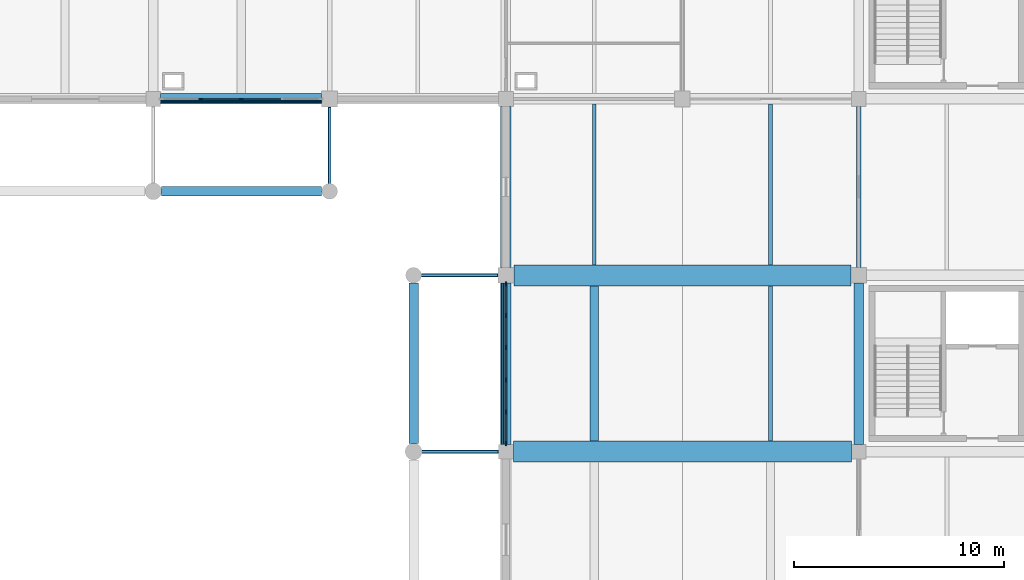
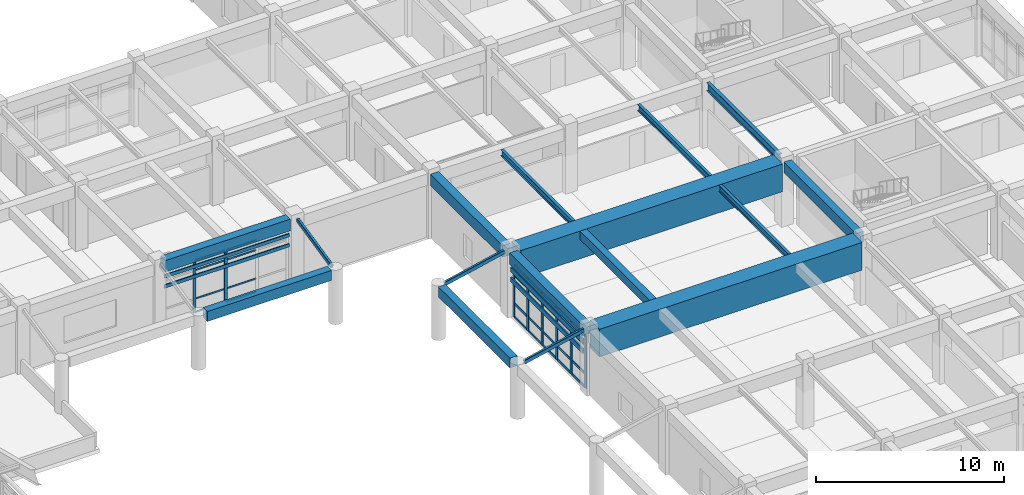
# One storey, part 47 of 99: 43 members, 13 beams, 2 elements without a shape of their own.
"""IFC4 building model written with IfcOpenShell, lengths in metres."""

from ifc_helpers import new_model, si_unit, direction, frame, origin, origin_2d, place, context, subcontext, project, spatial, rectangle, hollow_rectangle, i_section, extrude, material, layer, layer_set, material_profile, profile_set, type_object, element, aggregate, save


model = new_model("IFC4")

# Units and contexts
model_context = context("Model", 3, precision=1e-05, world=origin(), true_north=direction((0.0, 1.0)))
body_context = subcontext(model_context, "Body", "Model", "MODEL_VIEW")
ifc_project = project(units=[si_unit("LENGTHUNIT", "METRE"), si_unit("AREAUNIT", "SQUARE_METRE"), si_unit("VOLUMEUNIT", "CUBIC_METRE"), si_unit("PLANEANGLEUNIT", "RADIAN"), si_unit("MASSUNIT", "GRAM", prefix="KILO")], contexts=[model_context])

# Site, building, storey
site_placement = place(None, origin())
site = spatial("IfcSite", under=ifc_project, at=site_placement, CompositionType="ELEMENT")
building_placement = place(site_placement, origin())
building = spatial("IfcBuilding", under=site, at=building_placement, Name="Porcellanite Civic Hall", CompositionType="ELEMENT")
storey_placement = place(building_placement, frame((0.0, 0.0, 5.760009765625)))
storey = spatial("IfcBuildingStorey", under=building, at=storey_placement, Name="L01", CompositionType="ELEMENT", Elevation=5.760009765625)

# Beams
ifc_material_1 = material(Name="Concrete N50 (50 MPa)", Category="concrete")
ifc_material_profile_1 = material_profile(ifc_material_1, rectangle(XDim=0.39990234375, YDim=0.550048828125, at=origin_2d()), Name="RC-400x550")
ifc_profile_set_1 = profile_set([ifc_material_profile_1], Name="Concrete N50 (50 MPa)")
beam_type_1 = type_object("IfcBeamType", Name="BM-RC550", PredefinedType="JOIST", material=ifc_profile_set_1)
beam_1_placement = place(storey_placement, frame((147.0, 34.099609375, 3.925048828125), z_axis=(0.0, 1.0, 0.0), x_axis=(-1.0, 0.0, 0.0)))
element("IfcBeam", 1, at=beam_1_placement, inside=storey, type_object=beam_type_1, Name="Secondary joist L01 18-5", PredefinedType="JOIST", context=body_context, shape_type="SweptSolid", body=[
    extrude(rectangle(XDim=0.39990234375, YDim=0.550048828125, at=origin_2d()), origin(), (0.0, 0.0, 1.0), 7.40087890625),
])
ifc_material_2 = material(Name="Concrete N50 (50 MPa)", Category="concrete")
ifc_material_profile_2 = material_profile(ifc_material_2, rectangle(XDim=0.449951171875, YDim=0.64990234375, at=origin_2d()), Name="RC-450x650")
ifc_profile_set_2 = profile_set([ifc_material_profile_2], Name="Concrete N50 (50 MPa)")
beam_type_2 = type_object("IfcBeamType", Name="BM-RC650", PredefinedType="SPANDREL", material=ifc_profile_set_2)
for number, where, z_axis, x_axis, name in (
    (2, (138.39990234375, 33.99951171875, 3.205078125), (0.0, 1.0, 0.0), (-1.0, 0.0, 0.0), "Colonnade keystone beam L01 COL-E-P05"),
    (3, (126.3994140625, 46.0, 3.205078125), (1.0, 0.0, 0.0), (0.0, 1.0, 0.0), "Colonnade keystone beam L01 COL-NE-P02"),
):
    element("IfcBeam", number, at=place(storey_placement, frame(where, z_axis=z_axis, x_axis=x_axis)), inside=storey, type_object=beam_type_2, Name=name, PredefinedType="SPANDREL", context=body_context, shape_type="SweptSolid", body=[
        extrude(rectangle(XDim=0.449951171875, YDim=0.64990234375, at=origin_2d()), origin(), (0.0, 0.0, 1.0), 7.6259765625),
    ])
ifc_material_3 = material(Name="Concrete N50 (50 MPa)", Category="concrete")
ifc_material_profile_3 = material_profile(ifc_material_3, rectangle(XDim=0.449951171875, YDim=0.699951171875, at=origin_2d()), Name="RC-450x700")
ifc_profile_set_3 = profile_set([ifc_material_profile_3], Name="Concrete N50 (50 MPa)")
beam_type_3 = type_object("IfcBeamType", Name="BM-RC700", PredefinedType="BEAM", material=ifc_profile_set_3)
beam_2_placement = place(storey_placement, frame((159.60009765625, 33.949462890625, 3.85009765625), z_axis=(0.0, 1.0, 0.0), x_axis=(-1.0, 0.0, 0.0)))
element("IfcBeam", 4, at=beam_2_placement, inside=storey, type_object=beam_type_3, Name="Beam Y L01 20-5", PredefinedType="BEAM", context=body_context, shape_type="SweptSolid", body=[
    extrude(rectangle(XDim=0.449951171875, YDim=0.699951171875, at=origin_2d()), origin(), (0.0, 0.0, 1.0), 7.676025390625),
])
ifc_material_4 = material(Name="Concrete N50 (50 MPa)", Category="concrete")
ifc_material_profile_4 = material_profile(ifc_material_4, rectangle(XDim=0.5, YDim=0.75, at=origin_2d()), Name="RC-500x750")
ifc_profile_set_4 = profile_set([ifc_material_profile_4], Name="Concrete N50 (50 MPa)")
beam_type_4 = type_object("IfcBeamType", Name="BM-RC750", PredefinedType="SPANDREL", material=ifc_profile_set_4)
beam_3_placement = place(storey_placement, frame((126.349609375, 50.39990234375, 3.824951171875), z_axis=(1.0, 0.0, 0.0), x_axis=(0.0, 1.0, 0.0)))
element("IfcBeam", 5, at=beam_3_placement, inside=storey, type_object=beam_type_4, Name="Beam X L01 16-7", PredefinedType="SPANDREL", context=body_context, shape_type="SweptSolid", body=[
    extrude(rectangle(XDim=0.5, YDim=0.75, at=origin_2d()), origin(), (0.0, 0.0, 1.0), 7.67578125),
])
for number, where, z_axis, x_axis, name in (
    (6, (142.800048828125, 33.949462890625, 3.824951171875), (0.0, 1.0, 0.0), (-1.0, 0.0, 0.0), "Beam Y L01 18-5"),
    (7, (142.800048828125, 42.37451171875, 3.824951171875), (0.0, 1.0, 0.0), (-1.0, 0.0, 0.0), "Beam Y L01 18-6"),
):
    element("IfcBeam", number, at=place(storey_placement, frame(where, z_axis=z_axis, x_axis=x_axis)), inside=storey, type_object=beam_type_4, Name=name, PredefinedType="SPANDREL", context=body_context, shape_type="SweptSolid", body=[
        extrude(rectangle(XDim=0.5, YDim=0.75, at=origin_2d()), origin(), (0.0, 0.0, 1.0), 7.676025390625),
    ])

# Curtain wall, members
ifc_material_5 = material(Name="Anodised aluminium and solar laminated glass", Category="aluminium")
ifc_layer_1 = layer(ifc_material_5, 0.179931640625)
ifc_layer_set_1 = layer_set([ifc_layer_1], Name="Anodised aluminium and solar laminated glass")
curtain_wall_type_1 = type_object("IfcCurtainWallType", Name="CW-SYS02", PredefinedType="NOTDEFINED", material=ifc_layer_set_1)
curtain_wall_1_placement = place(storey_placement, origin())
curtain_wall_1 = element("IfcCurtainWall", 8, at=curtain_wall_1_placement, inside=storey, type_object=curtain_wall_type_1, Name="Curtain wall CW-120", PredefinedType="NOTDEFINED")
ifc_material_6 = material(Name="Anodised aluminium 6063-T6", Category="aluminium")
ifc_material_profile_5 = material_profile(ifc_material_6, rectangle(XDim=0.074951171875, YDim=0.219970703125, at=origin_2d()), Name="AL-75x220")
ifc_profile_set_5 = profile_set([ifc_material_profile_5], Name="Anodised aluminium 6063-T6")
member_type_1 = type_object("IfcMemberType", Name="CWM-03", PredefinedType="MULLION", material=ifc_profile_set_5)
member_1_placement = place(storey_placement, frame((142.800048828125, 33.988525390625, 0.0), z_axis=(0.0, 0.0, 1.0), x_axis=(-1.0, 0.0, 0.0)))
member_1 = element("IfcMember", 9, at=member_1_placement, type_object=member_type_1, Name="CW-120 mullion 1", PredefinedType="MULLION", context=body_context, shape_type="SweptSolid", body=[
    extrude(rectangle(XDim=0.074951171875, YDim=0.219970703125, at=origin_2d()), origin(), (0.0, 0.0, 1.0), 3.39990234375),
])
member_2_placement = place(storey_placement, frame((142.800048828125, 35.485595703125, 0.0), z_axis=(0.0, 0.0, 1.0), x_axis=(-1.0, 0.0, 0.0)))
member_2 = element("IfcMember", 10, at=member_2_placement, type_object=member_type_1, Name="CW-120 mullion 2", PredefinedType="MULLION", context=body_context, shape_type="SweptSolid", body=[
    extrude(rectangle(XDim=0.074951171875, YDim=0.219970703125, at=origin_2d()), origin(), (0.0, 0.0, 1.0), 3.39990234375),
])
member_3_placement = place(storey_placement, frame((142.800048828125, 37.020263671875, 0.0), z_axis=(0.0, 0.0, 1.0), x_axis=(-1.0, 0.0, 0.0)))
member_3 = element("IfcMember", 11, at=member_3_placement, type_object=member_type_1, Name="CW-120 mullion 3", PredefinedType="MULLION", context=body_context, shape_type="SweptSolid", body=[
    extrude(rectangle(XDim=0.074951171875, YDim=0.219970703125, at=origin_2d()), origin(), (0.0, 0.0, 1.0), 3.39990234375),
])
member_4_placement = place(storey_placement, frame((142.800048828125, 38.5546875, 0.0), z_axis=(0.0, 0.0, 1.0), x_axis=(-1.0, 0.0, 0.0)))
member_4 = element("IfcMember", 12, at=member_4_placement, type_object=member_type_1, Name="CW-120 mullion 4", PredefinedType="MULLION", context=body_context, shape_type="SweptSolid", body=[
    extrude(rectangle(XDim=0.074951171875, YDim=0.219970703125, at=origin_2d()), origin(), (0.0, 0.0, 1.0), 3.39990234375),
])
member_5_placement = place(storey_placement, frame((142.800048828125, 40.08935546875, 0.0), z_axis=(0.0, 0.0, 1.0), x_axis=(-1.0, 0.0, 0.0)))
member_5 = element("IfcMember", 13, at=member_5_placement, type_object=member_type_1, Name="CW-120 mullion 5", PredefinedType="MULLION", context=body_context, shape_type="SweptSolid", body=[
    extrude(rectangle(XDim=0.074951171875, YDim=0.219970703125, at=origin_2d()), origin(), (0.0, 0.0, 1.0), 3.39990234375),
])
member_6_placement = place(storey_placement, frame((142.800048828125, 41.58642578125, 0.0), z_axis=(0.0, 0.0, 1.0), x_axis=(-1.0, 0.0, 0.0)))
member_6 = element("IfcMember", 14, at=member_6_placement, type_object=member_type_1, Name="CW-120 mullion 6", PredefinedType="MULLION", context=body_context, shape_type="SweptSolid", body=[
    extrude(rectangle(XDim=0.074951171875, YDim=0.219970703125, at=origin_2d()), origin(), (0.0, 0.0, 1.0), 3.39990234375),
])

ifc_material_7 = material(Name="Anodised aluminium and solar laminated glass", Category="aluminium")
ifc_layer_2 = layer(ifc_material_7, 0.179931640625)
ifc_layer_set_2 = layer_set([ifc_layer_2], Name="Anodised aluminium and solar laminated glass")
curtain_wall_type_2 = type_object("IfcCurtainWallType", Name="CW-SYS04", PredefinedType="NOTDEFINED", material=ifc_layer_set_2)
curtain_wall_2_placement = place(storey_placement, origin())
curtain_wall_2 = element("IfcCurtainWall", 15, at=curtain_wall_2_placement, inside=storey, type_object=curtain_wall_type_2, Name="Curtain wall CW-115", PredefinedType="NOTDEFINED")
ifc_material_8 = material(Name="Anodised aluminium 6063-T6", Category="aluminium")
ifc_material_profile_6 = material_profile(ifc_material_8, rectangle(XDim=0.074951171875, YDim=0.18994140625, at=origin_2d()), Name="AL-75x190")
ifc_profile_set_6 = profile_set([ifc_material_profile_6], Name="Anodised aluminium 6063-T6")
member_type_2 = type_object("IfcMemberType", Name="CWM-04", PredefinedType="MULLION", material=ifc_profile_set_6)
member_7_placement = place(storey_placement, frame((130.1875, 50.39990234375, 0.0), z_axis=(0.0, 0.0, 1.0), x_axis=(0.0, -1.0, 0.0)))
member_7 = element("IfcMember", 16, at=member_7_placement, type_object=member_type_2, Name="CW-115 mullion 3", PredefinedType="MULLION", context=body_context, shape_type="SweptSolid", body=[
    extrude(rectangle(XDim=0.074951171875, YDim=0.18994140625, at=origin_2d()), origin(), (0.0, 0.0, 1.0), 3.39990234375),
])
member_8_placement = place(storey_placement, frame((128.269287109375, 50.39990234375, 0.0), z_axis=(0.0, 0.0, 1.0), x_axis=(0.0, -1.0, 0.0)))
member_8 = element("IfcMember", 17, at=member_8_placement, type_object=member_type_2, Name="CW-115 mullion 4", PredefinedType="MULLION", context=body_context, shape_type="SweptSolid", body=[
    extrude(rectangle(XDim=0.074951171875, YDim=0.18994140625, at=origin_2d()), origin(), (0.0, 0.0, 1.0), 3.39990234375),
])

# Member
ifc_material_9 = material(Name="Anodised aluminium 6063-T6", Category="aluminium")
ifc_material_profile_7 = material_profile(ifc_material_9, rectangle(XDim=0.06494140625, YDim=0.14990234375, at=origin_2d()), Name="AL-65x150")
ifc_profile_set_7 = profile_set([ifc_material_profile_7], Name="Anodised aluminium 6063-T6")
member_type_3 = type_object("IfcMemberType", Name="CWT-02", PredefinedType="USERDEFINED", material=ifc_profile_set_7)
member_9_placement = place(storey_placement, frame((142.800048828125, 34.02587890625, 0.032470703125), z_axis=(0.0, 1.0, 0.0), x_axis=(-1.0, 0.0, 0.0)))
member_9 = element("IfcMember", 18, at=member_9_placement, type_object=member_type_3, Name="CW-120 transom 1.1", ObjectType="TRANSOM", PredefinedType="USERDEFINED", context=body_context, shape_type="SweptSolid", body=[
    extrude(rectangle(XDim=0.06494140625, YDim=0.14990234375, at=origin_2d()), origin(), (0.0, 0.0, 1.0), 1.422119140625),
])

member_10_placement = place(storey_placement, frame((142.800048828125, 34.02587890625, 0.89990234375), z_axis=(0.0, 1.0, 0.0), x_axis=(-1.0, 0.0, 0.0)))
member_10 = element("IfcMember", 19, at=member_10_placement, type_object=member_type_3, Name="CW-120 transom 1.2", ObjectType="TRANSOM", PredefinedType="USERDEFINED", context=body_context, shape_type="SweptSolid", body=[
    extrude(rectangle(XDim=0.06494140625, YDim=0.14990234375, at=origin_2d()), origin(), (0.0, 0.0, 1.0), 1.422119140625),
])

member_11_placement = place(storey_placement, frame((142.800048828125, 34.02587890625, 2.75), z_axis=(0.0, 1.0, 0.0), x_axis=(-1.0, 0.0, 0.0)))
member_11 = element("IfcMember", 20, at=member_11_placement, type_object=member_type_3, Name="CW-120 transom 1.3", ObjectType="TRANSOM", PredefinedType="USERDEFINED", context=body_context, shape_type="SweptSolid", body=[
    extrude(rectangle(XDim=0.06494140625, YDim=0.14990234375, at=origin_2d()), origin(), (0.0, 0.0, 1.0), 1.422119140625),
])

member_12_placement = place(storey_placement, frame((142.800048828125, 34.02587890625, 3.367431640625), z_axis=(0.0, 1.0, 0.0), x_axis=(-1.0, 0.0, 0.0)))
member_12 = element("IfcMember", 21, at=member_12_placement, type_object=member_type_3, Name="CW-120 transom 1.4", ObjectType="TRANSOM", PredefinedType="USERDEFINED", context=body_context, shape_type="SweptSolid", body=[
    extrude(rectangle(XDim=0.06494140625, YDim=0.14990234375, at=origin_2d()), origin(), (0.0, 0.0, 1.0), 1.422119140625),
])

member_13_placement = place(storey_placement, frame((142.800048828125, 35.523193359375, 0.032470703125), z_axis=(0.0, 1.0, 0.0), x_axis=(-1.0, 0.0, 0.0)))
member_13 = element("IfcMember", 22, at=member_13_placement, type_object=member_type_3, Name="CW-120 transom 2.1", ObjectType="TRANSOM", PredefinedType="USERDEFINED", context=body_context, shape_type="SweptSolid", body=[
    extrude(rectangle(XDim=0.06494140625, YDim=0.14990234375, at=origin_2d()), origin(), (0.0, 0.0, 1.0), 1.45947265625),
])

member_14_placement = place(storey_placement, frame((142.800048828125, 35.523193359375, 0.89990234375), z_axis=(0.0, 1.0, 0.0), x_axis=(-1.0, 0.0, 0.0)))
member_14 = element("IfcMember", 23, at=member_14_placement, type_object=member_type_3, Name="CW-120 transom 2.2", ObjectType="TRANSOM", PredefinedType="USERDEFINED", context=body_context, shape_type="SweptSolid", body=[
    extrude(rectangle(XDim=0.06494140625, YDim=0.14990234375, at=origin_2d()), origin(), (0.0, 0.0, 1.0), 1.45947265625),
])

member_15_placement = place(storey_placement, frame((142.800048828125, 35.523193359375, 2.75), z_axis=(0.0, 1.0, 0.0), x_axis=(-1.0, 0.0, 0.0)))
member_15 = element("IfcMember", 24, at=member_15_placement, type_object=member_type_3, Name="CW-120 transom 2.3", ObjectType="TRANSOM", PredefinedType="USERDEFINED", context=body_context, shape_type="SweptSolid", body=[
    extrude(rectangle(XDim=0.06494140625, YDim=0.14990234375, at=origin_2d()), origin(), (0.0, 0.0, 1.0), 1.45947265625),
])

member_16_placement = place(storey_placement, frame((142.800048828125, 35.523193359375, 3.367431640625), z_axis=(0.0, 1.0, 0.0), x_axis=(-1.0, 0.0, 0.0)))
member_16 = element("IfcMember", 25, at=member_16_placement, type_object=member_type_3, Name="CW-120 transom 2.4", ObjectType="TRANSOM", PredefinedType="USERDEFINED", context=body_context, shape_type="SweptSolid", body=[
    extrude(rectangle(XDim=0.06494140625, YDim=0.14990234375, at=origin_2d()), origin(), (0.0, 0.0, 1.0), 1.45947265625),
])

member_17_placement = place(storey_placement, frame((142.800048828125, 37.0576171875, 0.032470703125), z_axis=(0.0, 1.0, 0.0), x_axis=(-1.0, 0.0, 0.0)))
member_17 = element("IfcMember", 26, at=member_17_placement, type_object=member_type_3, Name="CW-120 transom 3.1", ObjectType="TRANSOM", PredefinedType="USERDEFINED", context=body_context, shape_type="SweptSolid", body=[
    extrude(rectangle(XDim=0.06494140625, YDim=0.14990234375, at=origin_2d()), origin(), (0.0, 0.0, 1.0), 1.459716796875),
])

member_18_placement = place(storey_placement, frame((142.800048828125, 37.0576171875, 0.89990234375), z_axis=(0.0, 1.0, 0.0), x_axis=(-1.0, 0.0, 0.0)))
member_18 = element("IfcMember", 27, at=member_18_placement, type_object=member_type_3, Name="CW-120 transom 3.2", ObjectType="TRANSOM", PredefinedType="USERDEFINED", context=body_context, shape_type="SweptSolid", body=[
    extrude(rectangle(XDim=0.06494140625, YDim=0.14990234375, at=origin_2d()), origin(), (0.0, 0.0, 1.0), 1.459716796875),
])

member_19_placement = place(storey_placement, frame((142.800048828125, 37.0576171875, 2.75), z_axis=(0.0, 1.0, 0.0), x_axis=(-1.0, 0.0, 0.0)))
member_19 = element("IfcMember", 28, at=member_19_placement, type_object=member_type_3, Name="CW-120 transom 3.3", ObjectType="TRANSOM", PredefinedType="USERDEFINED", context=body_context, shape_type="SweptSolid", body=[
    extrude(rectangle(XDim=0.06494140625, YDim=0.14990234375, at=origin_2d()), origin(), (0.0, 0.0, 1.0), 1.459716796875),
])

member_20_placement = place(storey_placement, frame((142.800048828125, 37.0576171875, 3.367431640625), z_axis=(0.0, 1.0, 0.0), x_axis=(-1.0, 0.0, 0.0)))
member_20 = element("IfcMember", 29, at=member_20_placement, type_object=member_type_3, Name="CW-120 transom 3.4", ObjectType="TRANSOM", PredefinedType="USERDEFINED", context=body_context, shape_type="SweptSolid", body=[
    extrude(rectangle(XDim=0.06494140625, YDim=0.14990234375, at=origin_2d()), origin(), (0.0, 0.0, 1.0), 1.459716796875),
])

member_21_placement = place(storey_placement, frame((142.800048828125, 38.59228515625, 0.032470703125), z_axis=(0.0, 1.0, 0.0), x_axis=(-1.0, 0.0, 0.0)))
member_21 = element("IfcMember", 30, at=member_21_placement, type_object=member_type_3, Name="CW-120 transom 4.1", ObjectType="TRANSOM", PredefinedType="USERDEFINED", context=body_context, shape_type="SweptSolid", body=[
    extrude(rectangle(XDim=0.06494140625, YDim=0.14990234375, at=origin_2d()), origin(), (0.0, 0.0, 1.0), 1.459716796875),
])

member_22_placement = place(storey_placement, frame((142.800048828125, 38.59228515625, 0.89990234375), z_axis=(0.0, 1.0, 0.0), x_axis=(-1.0, 0.0, 0.0)))
member_22 = element("IfcMember", 31, at=member_22_placement, type_object=member_type_3, Name="CW-120 transom 4.2", ObjectType="TRANSOM", PredefinedType="USERDEFINED", context=body_context, shape_type="SweptSolid", body=[
    extrude(rectangle(XDim=0.06494140625, YDim=0.14990234375, at=origin_2d()), origin(), (0.0, 0.0, 1.0), 1.459716796875),
])

member_23_placement = place(storey_placement, frame((142.800048828125, 38.59228515625, 2.75), z_axis=(0.0, 1.0, 0.0), x_axis=(-1.0, 0.0, 0.0)))
member_23 = element("IfcMember", 32, at=member_23_placement, type_object=member_type_3, Name="CW-120 transom 4.3", ObjectType="TRANSOM", PredefinedType="USERDEFINED", context=body_context, shape_type="SweptSolid", body=[
    extrude(rectangle(XDim=0.06494140625, YDim=0.14990234375, at=origin_2d()), origin(), (0.0, 0.0, 1.0), 1.459716796875),
])

member_24_placement = place(storey_placement, frame((142.800048828125, 38.59228515625, 3.367431640625), z_axis=(0.0, 1.0, 0.0), x_axis=(-1.0, 0.0, 0.0)))
member_24 = element("IfcMember", 33, at=member_24_placement, type_object=member_type_3, Name="CW-120 transom 4.4", ObjectType="TRANSOM", PredefinedType="USERDEFINED", context=body_context, shape_type="SweptSolid", body=[
    extrude(rectangle(XDim=0.06494140625, YDim=0.14990234375, at=origin_2d()), origin(), (0.0, 0.0, 1.0), 1.459716796875),
])

member_25_placement = place(storey_placement, frame((142.800048828125, 40.126953125, 0.032470703125), z_axis=(0.0, 1.0, 0.0), x_axis=(-1.0, 0.0, 0.0)))
member_25 = element("IfcMember", 34, at=member_25_placement, type_object=member_type_3, Name="CW-120 transom 5.1", ObjectType="TRANSOM", PredefinedType="USERDEFINED", context=body_context, shape_type="SweptSolid", body=[
    extrude(rectangle(XDim=0.06494140625, YDim=0.14990234375, at=origin_2d()), origin(), (0.0, 0.0, 1.0), 1.422119140625),
])

member_26_placement = place(storey_placement, frame((142.800048828125, 40.126953125, 0.89990234375), z_axis=(0.0, 1.0, 0.0), x_axis=(-1.0, 0.0, 0.0)))
member_26 = element("IfcMember", 35, at=member_26_placement, type_object=member_type_3, Name="CW-120 transom 5.2", ObjectType="TRANSOM", PredefinedType="USERDEFINED", context=body_context, shape_type="SweptSolid", body=[
    extrude(rectangle(XDim=0.06494140625, YDim=0.14990234375, at=origin_2d()), origin(), (0.0, 0.0, 1.0), 1.422119140625),
])

member_27_placement = place(storey_placement, frame((142.800048828125, 40.126953125, 2.75), z_axis=(0.0, 1.0, 0.0), x_axis=(-1.0, 0.0, 0.0)))
member_27 = element("IfcMember", 36, at=member_27_placement, type_object=member_type_3, Name="CW-120 transom 5.3", ObjectType="TRANSOM", PredefinedType="USERDEFINED", context=body_context, shape_type="SweptSolid", body=[
    extrude(rectangle(XDim=0.06494140625, YDim=0.14990234375, at=origin_2d()), origin(), (0.0, 0.0, 1.0), 1.422119140625),
])

member_28_placement = place(storey_placement, frame((142.800048828125, 40.126953125, 3.367431640625), z_axis=(0.0, 1.0, 0.0), x_axis=(-1.0, 0.0, 0.0)))
member_28 = element("IfcMember", 37, at=member_28_placement, type_object=member_type_3, Name="CW-120 transom 5.4", ObjectType="TRANSOM", PredefinedType="USERDEFINED", context=body_context, shape_type="SweptSolid", body=[
    extrude(rectangle(XDim=0.06494140625, YDim=0.14990234375, at=origin_2d()), origin(), (0.0, 0.0, 1.0), 1.422119140625),
])

aggregate(curtain_wall_1, [member_1, member_2, member_3, member_4, member_5, member_6, member_9, member_10, member_11, member_12, member_13, member_14, member_15, member_16, member_17, member_18, member_19, member_20, member_21, member_22, member_23, member_24, member_25, member_26, member_27, member_28])

ifc_material_10 = material(Name="Anodised aluminium 6063-T6", Category="aluminium")
ifc_material_profile_8 = material_profile(ifc_material_10, rectangle(XDim=0.054931640625, YDim=0.10009765625, at=origin_2d()), Name="AL-55x100")
ifc_profile_set_8 = profile_set([ifc_material_profile_8], Name="Anodised aluminium 6063-T6")
member_type_4 = type_object("IfcMemberType", Name="CWT-05", PredefinedType="USERDEFINED", material=ifc_profile_set_8)
member_29_placement = place(storey_placement, frame((132.068359375, 50.39990234375, 0.027587890625), z_axis=(-1.0, 0.0, 0.0), x_axis=(0.0, -1.0, 0.0)))
member_29 = element("IfcMember", 38, at=member_29_placement, type_object=member_type_4, Name="CW-115 transom 2.1", ObjectType="TRANSOM", PredefinedType="USERDEFINED", context=body_context, shape_type="SweptSolid", body=[
    extrude(rectangle(XDim=0.054931640625, YDim=0.10009765625, at=origin_2d()), origin(), (0.0, 0.0, 1.0), 1.84326171875),
])

member_30_placement = place(storey_placement, frame((132.068359375, 50.39990234375, 0.89990234375), z_axis=(-1.0, 0.0, 0.0), x_axis=(0.0, -1.0, 0.0)))
member_30 = element("IfcMember", 39, at=member_30_placement, type_object=member_type_4, Name="CW-115 transom 2.2", ObjectType="TRANSOM", PredefinedType="USERDEFINED", context=body_context, shape_type="SweptSolid", body=[
    extrude(rectangle(XDim=0.054931640625, YDim=0.10009765625, at=origin_2d()), origin(), (0.0, 0.0, 1.0), 1.84326171875),
])

member_31_placement = place(storey_placement, frame((132.068359375, 50.39990234375, 2.75), z_axis=(-1.0, 0.0, 0.0), x_axis=(0.0, -1.0, 0.0)))
member_31 = element("IfcMember", 40, at=member_31_placement, type_object=member_type_4, Name="CW-115 transom 2.3", ObjectType="TRANSOM", PredefinedType="USERDEFINED", context=body_context, shape_type="SweptSolid", body=[
    extrude(rectangle(XDim=0.054931640625, YDim=0.10009765625, at=origin_2d()), origin(), (0.0, 0.0, 1.0), 1.84326171875),
])

member_32_placement = place(storey_placement, frame((132.068359375, 50.39990234375, 3.37255859375), z_axis=(-1.0, 0.0, 0.0), x_axis=(0.0, -1.0, 0.0)))
member_32 = element("IfcMember", 41, at=member_32_placement, type_object=member_type_4, Name="CW-115 transom 2.4", ObjectType="TRANSOM", PredefinedType="USERDEFINED", context=body_context, shape_type="SweptSolid", body=[
    extrude(rectangle(XDim=0.054931640625, YDim=0.10009765625, at=origin_2d()), origin(), (0.0, 0.0, 1.0), 1.84326171875),
])

member_33_placement = place(storey_placement, frame((130.14990234375, 50.39990234375, 0.027587890625), z_axis=(-1.0, 0.0, 0.0), x_axis=(0.0, -1.0, 0.0)))
member_33 = element("IfcMember", 42, at=member_33_placement, type_object=member_type_4, Name="CW-115 transom 3.1", ObjectType="TRANSOM", PredefinedType="USERDEFINED", context=body_context, shape_type="SweptSolid", body=[
    extrude(rectangle(XDim=0.054931640625, YDim=0.10009765625, at=origin_2d()), origin(), (0.0, 0.0, 1.0), 1.84326171875),
])

member_34_placement = place(storey_placement, frame((130.14990234375, 50.39990234375, 0.89990234375), z_axis=(-1.0, 0.0, 0.0), x_axis=(0.0, -1.0, 0.0)))
member_34 = element("IfcMember", 43, at=member_34_placement, type_object=member_type_4, Name="CW-115 transom 3.2", ObjectType="TRANSOM", PredefinedType="USERDEFINED", context=body_context, shape_type="SweptSolid", body=[
    extrude(rectangle(XDim=0.054931640625, YDim=0.10009765625, at=origin_2d()), origin(), (0.0, 0.0, 1.0), 1.84326171875),
])

member_35_placement = place(storey_placement, frame((130.14990234375, 50.39990234375, 2.75), z_axis=(-1.0, 0.0, 0.0), x_axis=(0.0, -1.0, 0.0)))
member_35 = element("IfcMember", 44, at=member_35_placement, type_object=member_type_4, Name="CW-115 transom 3.3", ObjectType="TRANSOM", PredefinedType="USERDEFINED", context=body_context, shape_type="SweptSolid", body=[
    extrude(rectangle(XDim=0.054931640625, YDim=0.10009765625, at=origin_2d()), origin(), (0.0, 0.0, 1.0), 1.84326171875),
])

member_36_placement = place(storey_placement, frame((130.14990234375, 50.39990234375, 3.37255859375), z_axis=(-1.0, 0.0, 0.0), x_axis=(0.0, -1.0, 0.0)))
member_36 = element("IfcMember", 45, at=member_36_placement, type_object=member_type_4, Name="CW-115 transom 3.4", ObjectType="TRANSOM", PredefinedType="USERDEFINED", context=body_context, shape_type="SweptSolid", body=[
    extrude(rectangle(XDim=0.054931640625, YDim=0.10009765625, at=origin_2d()), origin(), (0.0, 0.0, 1.0), 1.84326171875),
])

aggregate(curtain_wall_2, [member_7, member_8, member_29, member_30, member_31, member_32, member_33, member_34, member_35, member_36])

# Beams
ifc_material_11 = material(Name="Steel Grade 350", Category="steel")
ifc_material_profile_9 = material_profile(ifc_material_11, i_section(OverallWidth=0.177978515625, OverallDepth=0.403076171875, WebThickness=0.007568359375, FlangeThickness=0.010986328125, FilletRadius=0.011474609375, at=origin_2d()), Name="410UB53.7")
ifc_profile_set_9 = profile_set([ifc_material_profile_9], Name="Steel Grade 350")
beam_type_5 = type_object("IfcBeamType", Name="JST-410UB54", PredefinedType="JOIST", material=ifc_profile_set_9)
beam_4_placement = place(storey_placement, frame((155.39990234375, 42.49951171875, 3.99853515625), z_axis=(0.0, 1.0, 0.0), x_axis=(-1.0, 0.0, 0.0)))
element("IfcBeam", 46, at=beam_4_placement, inside=storey, type_object=beam_type_5, Name="Secondary joist L01 19-6", PredefinedType="JOIST", context=body_context, shape_type="SweptSolid", body=[
    extrude(i_section(OverallWidth=0.177978515625, OverallDepth=0.403076171875, WebThickness=0.007568359375, FlangeThickness=0.010986328125, FilletRadius=0.011474609375, at=origin_2d()), origin(), (0.0, 0.0, 1.0), 7.65087890625),
])
ifc_material_12 = material(Name="Steel Grade 350", Category="steel")
ifc_material_profile_10 = material_profile(ifc_material_12, i_section(OverallWidth=0.177978515625, OverallDepth=0.406005859375, WebThickness=0.0078125, FlangeThickness=0.0126953125, FilletRadius=0.011474609375, at=origin_2d()), Name="410UB59.7")
ifc_profile_set_10 = profile_set([ifc_material_profile_10], Name="Steel Grade 350")
beam_type_6 = type_object("IfcBeamType", Name="JST-410UB60", PredefinedType="JOIST", material=ifc_profile_set_10)
beam_5_placement = place(storey_placement, frame((147.0, 42.49951171875, 3.9970703125), z_axis=(0.0, 1.0, 0.0), x_axis=(-1.0, 0.0, 0.0)))
element("IfcBeam", 47, at=beam_5_placement, inside=storey, type_object=beam_type_6, Name="Secondary joist L01 18-6", PredefinedType="JOIST", context=body_context, shape_type="SweptSolid", body=[
    extrude(i_section(OverallWidth=0.177978515625, OverallDepth=0.406005859375, WebThickness=0.0078125, FlangeThickness=0.0126953125, FilletRadius=0.011474609375, at=origin_2d()), origin(), (0.0, 0.0, 1.0), 7.65087890625),
])
beam_6_placement = place(storey_placement, frame((155.39990234375, 34.099609375, 3.9970703125), z_axis=(0.0, 1.0, 0.0), x_axis=(-1.0, 0.0, 0.0)))
element("IfcBeam", 48, at=beam_6_placement, inside=storey, type_object=beam_type_6, Name="Secondary joist L01 19-5", PredefinedType="JOIST", context=body_context, shape_type="SweptSolid", body=[
    extrude(i_section(OverallWidth=0.177978515625, OverallDepth=0.406005859375, WebThickness=0.0078125, FlangeThickness=0.0126953125, FilletRadius=0.011474609375, at=origin_2d()), origin(), (0.0, 0.0, 1.0), 7.40087890625),
])

# Members
ifc_material_13 = material(Name="Fluoropolymer bauxite-red aluminium 6063-T6", Category="aluminium")
ifc_material_profile_11 = material_profile(ifc_material_13, rectangle(XDim=0.080078125, YDim=0.320068359375, at=origin_2d()), Name="AL-80x320")
ifc_profile_set_11 = profile_set([ifc_material_profile_11], Name="Fluoropolymer bauxite-red aluminium 6063-T6")
member_type_5 = type_object("IfcMemberType", Name="LV-BLD03", PredefinedType="USERDEFINED", material=ifc_profile_set_11)
for number, where, z_axis, x_axis, name in (
    (49, (142.64794921875, 33.949462890625, 3.10009765625), (0.0, 1.0, 0.0), (-1.0, 0.0, 0.0), "Cyclone sunshade louvre L01 W 17-4 1"),
    (50, (142.64794921875, 33.949462890625, 2.449951171875), (0.0, 1.0, 0.0), (-1.0, 0.0, 0.0), "Cyclone sunshade louvre L01 W 17-4 2"),
):
    element("IfcMember", number, at=place(storey_placement, frame(where, z_axis=z_axis, x_axis=x_axis)), inside=storey, type_object=member_type_5, Name=name, ObjectType="LOUVRE BLADE", PredefinedType="USERDEFINED", context=body_context, shape_type="SweptSolid", body=[
        extrude(rectangle(XDim=0.080078125, YDim=0.320068359375, at=origin_2d()), origin(), (0.0, 0.0, 1.0), 7.676025390625),
    ])
ifc_material_14 = material(Name="Fluoropolymer bauxite-red aluminium 6063-T6", Category="aluminium")
ifc_material_profile_12 = material_profile(ifc_material_14, rectangle(XDim=0.06005859375, YDim=0.219970703125, at=origin_2d()), Name="AL-60x220")
ifc_profile_set_12 = profile_set([ifc_material_profile_12], Name="Fluoropolymer bauxite-red aluminium 6063-T6")
member_type_6 = type_object("IfcMemberType", Name="LV-BLD08", PredefinedType="USERDEFINED", material=ifc_profile_set_12)
for number, where, z_axis, x_axis, name in (
    (51, (134.025390625, 50.27294921875, 3.10009765625), (-1.0, 0.0, 0.0), (0.0, -1.0, 0.0), "Cyclone sunshade louvre L01 S 15-6 1"),
    (52, (134.025390625, 50.27294921875, 2.449951171875), (-1.0, 0.0, 0.0), (0.0, -1.0, 0.0), "Cyclone sunshade louvre L01 S 15-6 2"),
):
    element("IfcMember", number, at=place(storey_placement, frame(where, z_axis=z_axis, x_axis=x_axis)), inside=storey, type_object=member_type_6, Name=name, ObjectType="LOUVRE BLADE", PredefinedType="USERDEFINED", context=body_context, shape_type="SweptSolid", body=[
        extrude(rectangle(XDim=0.06005859375, YDim=0.219970703125, at=origin_2d()), origin(), (0.0, 0.0, 1.0), 7.67578125),
    ])

# Beam
ifc_material_15 = material(Name="Steel Grade 350", Category="steel")
ifc_material_profile_13 = material_profile(ifc_material_15, i_section(OverallWidth=0.208984375, OverallDepth=0.528076171875, WebThickness=0.009521484375, FlangeThickness=0.01318359375, FilletRadius=0.013916015625, at=origin_2d()), Name="530UB82.0")
ifc_profile_set_13 = profile_set([ifc_material_profile_13], Name="Steel Grade 350")
beam_type_7 = type_object("IfcBeamType", Name="RAF-530UB82", PredefinedType="BEAM", material=ifc_profile_set_13)
beam_7_placement = place(storey_placement, frame((159.60009765625, 42.37451171875, 3.93603515625), z_axis=(0.0, 1.0, 0.0), x_axis=(-1.0, 0.0, 0.0)))
element("IfcBeam", 53, at=beam_7_placement, inside=storey, type_object=beam_type_7, Name="Beam Y L01 20-6", PredefinedType="BEAM", context=body_context, shape_type="SweptSolid", body=[
    extrude(i_section(OverallWidth=0.208984375, OverallDepth=0.528076171875, WebThickness=0.009521484375, FlangeThickness=0.01318359375, FilletRadius=0.013916015625, at=origin_2d()), origin(), (0.0, 0.0, 1.0), 7.676025390625),
])

# Members
ifc_material_16 = material(Name="Steel C350L0", Category="steel")
ifc_material_profile_14 = material_profile(ifc_material_16, hollow_rectangle(XDim=0.14990234375, YDim=0.25, WallThickness=0.008056640625, InnerFilletRadius=0.011962890625, OuterFilletRadius=0.02001953125, at=origin_2d()), Name="250x150x8.0RHS")
ifc_profile_set_14 = profile_set([ifc_material_profile_14], Name="Steel C350L0")
member_type_7 = type_object("IfcMemberType", Name="STR-250RHS", PredefinedType="STRUT", material=ifc_profile_set_14)
member_37_placement = place(storey_placement, frame((142.450439453125, 33.60009765625, 4.11865234375), z_axis=(-0.976299069463, 0.0, -0.216425800138), x_axis=(0.0, -1.0, 0.0)))
element("IfcMember", 54, at=member_37_placement, inside=storey, type_object=member_type_7, Name="Colonnade raker COL-E-P05", PredefinedType="STRUT", context=body_context, shape_type="SweptSolid", body=[
    extrude(hollow_rectangle(XDim=0.14990234375, YDim=0.25, WallThickness=0.008056640625, InnerFilletRadius=0.011962890625, OuterFilletRadius=0.02001953125, at=origin_2d()), origin(), (0.0, 0.0, 1.0), 3.739501953125),
])
member_38_placement = place(storey_placement, frame((142.425537109375, 42.0, 4.113037109375), z_axis=(-0.976302127214, 0.0, -0.216412006133), x_axis=(0.0, -1.0, 0.0)))
element("IfcMember", 55, at=member_38_placement, inside=storey, type_object=member_type_7, Name="Colonnade raker COL-E-P06", PredefinedType="STRUT", context=body_context, shape_type="SweptSolid", body=[
    extrude(hollow_rectangle(XDim=0.14990234375, YDim=0.25, WallThickness=0.008056640625, InnerFilletRadius=0.011962890625, OuterFilletRadius=0.02001953125, at=origin_2d()), origin(), (0.0, 0.0, 1.0), 3.73974609375),
])
member_39_placement = place(storey_placement, frame((134.39990234375, 50.025390625, 4.113037109375), z_axis=(0.0, -0.976299069463, -0.216425800138), x_axis=(1.0, 0.0, 0.0)))
element("IfcMember", 56, at=member_39_placement, inside=storey, type_object=member_type_7, Name="Colonnade raker COL-NE-P03", PredefinedType="STRUT", context=body_context, shape_type="SweptSolid", body=[
    extrude(hollow_rectangle(XDim=0.14990234375, YDim=0.25, WallThickness=0.008056640625, InnerFilletRadius=0.011962890625, OuterFilletRadius=0.02001953125, at=origin_2d()), origin(), (0.0, 0.0, 1.0), 3.739501953125),
])

# Beams
ifc_material_17 = material(Name="Concrete N50 (50 MPa)", Category="concrete")
ifc_material_profile_15 = material_profile(ifc_material_17, rectangle(XDim=1.0, YDim=1.800048828125, at=origin_2d()), Name="RC-1000x1800")
ifc_profile_set_15 = profile_set([ifc_material_profile_15], Name="Concrete N50 (50 MPa)")
beam_type_8 = type_object("IfcBeamType", Name="TG-01", PredefinedType="T_BEAM", material=ifc_profile_set_15)
beam_8_placement = place(storey_placement, frame((143.1494140625, 33.60009765625, 3.300048828125), z_axis=(1.0, 0.0, 0.0), x_axis=(0.0, 1.0, 0.0)))
element("IfcBeam", 57, at=beam_8_placement, inside=storey, type_object=beam_type_8, Name="Library transfer girder Y4", PredefinedType="T_BEAM", context=body_context, shape_type="SweptSolid", body=[
    extrude(rectangle(XDim=1.0, YDim=1.800048828125, at=origin_2d()), origin(), (0.0, 0.0, 1.0), 16.10107421875),
])
beam_9_placement = place(storey_placement, frame((143.174560546875, 42.0, 3.300048828125), z_axis=(1.0, 0.0, 0.0), x_axis=(0.0, 1.0, 0.0)))
element("IfcBeam", 58, at=beam_9_placement, inside=storey, type_object=beam_type_8, Name="Library transfer girder Y5", PredefinedType="T_BEAM", context=body_context, shape_type="SweptSolid", body=[
    extrude(rectangle(XDim=1.0, YDim=1.800048828125, at=origin_2d()), origin(), (0.0, 0.0, 1.0), 16.051025390625),
])

save(model, "model.ifc")
